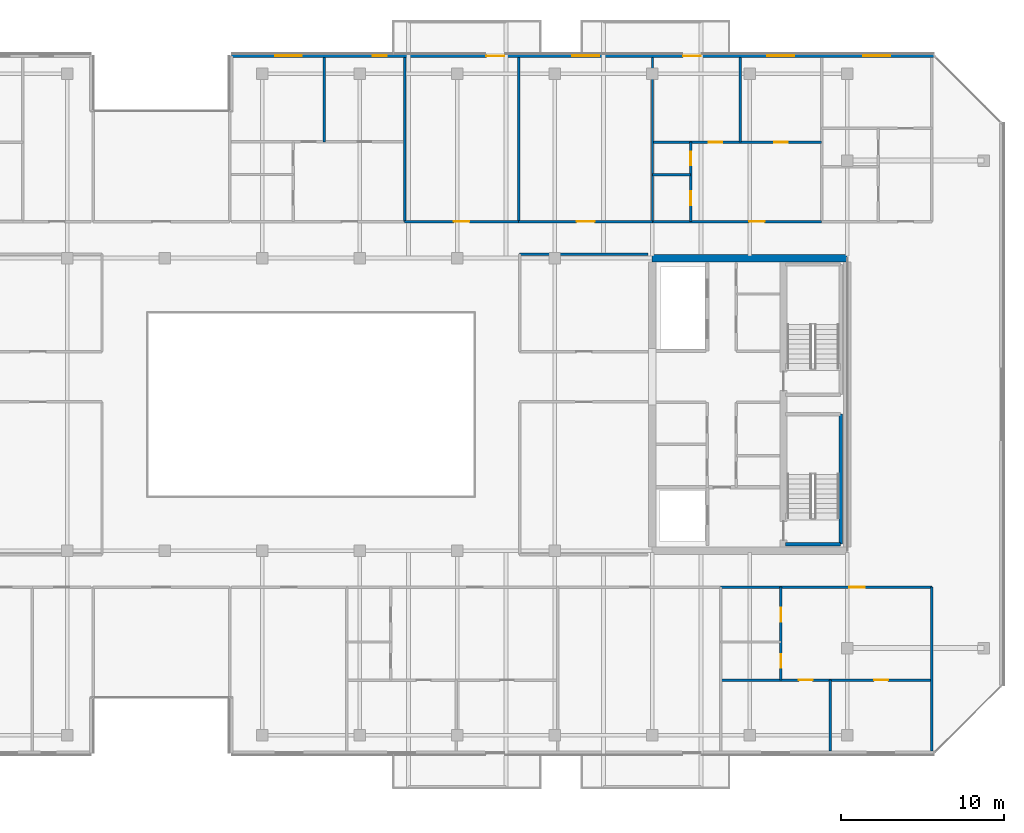
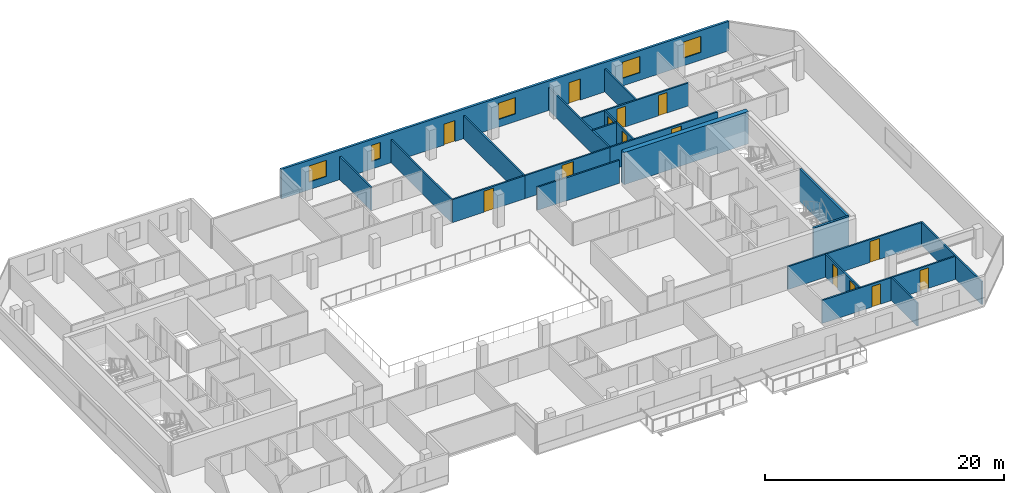
# One storey, part 18 of 24: 21 walls, 14 doors, 5 windows, 19 openings.
"""IFC4 building model written with IfcOpenShell, lengths in metres."""

from ifc_helpers import new_model, si_unit, direction, frame, frame_2d, origin, place, context, subcontext, project, spatial, rectangle, extrude, material, layer, layer_set, type_object, element, fill, save


model = new_model("IFC4")

# Units and contexts
model_context = context("Model", 3, precision=1e-05, world=origin(), true_north=direction((0.0, 1.0)))
body_context = subcontext(model_context, "Body", "Model", "MODEL_VIEW")
ifc_project = project(units=[si_unit("LENGTHUNIT", "METRE"), si_unit("AREAUNIT", "SQUARE_METRE"), si_unit("VOLUMEUNIT", "CUBIC_METRE"), si_unit("PLANEANGLEUNIT", "RADIAN"), si_unit("MASSUNIT", "GRAM", prefix="KILO")], contexts=[model_context])

# Site, building, storey
site_placement = place(None, origin())
site = spatial("IfcSite", under=ifc_project, at=site_placement, CompositionType="ELEMENT")
building_placement = place(site_placement, origin())
building = spatial("IfcBuilding", under=site, at=building_placement, Name="Tanjung Sevakor Pilgrim Tower", CompositionType="ELEMENT")
storey_placement = place(building_placement, frame((0.0, 0.0, 226.050048828125)))
storey = spatial("IfcBuildingStorey", under=building, at=storey_placement, Name="L63", CompositionType="ELEMENT", Elevation=226.050048828125)

# Walls
ifc_material_1 = material(Name="Concrete C60/75", Category="concrete")
ifc_layer_1 = layer(ifc_material_1, 0.449951171875)
ifc_layer_set_1 = layer_set([ifc_layer_1], Name="WALL-CW-450")
wall_type_1 = type_object("IfcWallType", Name="WALL-CW-450", PredefinedType="SHEAR", material=ifc_layer_set_1)
wall_1_placement = place(storey_placement, frame((90.0, 42.60009765625, 0.0), z_axis=(0.0, 0.0, 1.0), x_axis=(-1.0, 0.0, 0.0)))
element("IfcWall", 1, at=wall_1_placement, inside=storey, type_object=wall_type_1, Name="L63 E Core North Shear Wall", PredefinedType="SHEAR", context=body_context, shape_type="SweptSolid", body=[
    extrude(rectangle(XDim=12.0, YDim=0.449951171875, at=frame_2d((6.0, 0.0))), origin(), (0.0, 0.0, 1.0), 3.300048828125),
])
ifc_material_2 = material(Name="Concrete C40/50", Category="concrete")
ifc_layer_2 = layer(ifc_material_2, 0.14990234375)
ifc_layer_set_2 = layer_set([ifc_layer_2], Name="WT-COMP-150")
wall_type_2 = type_object("IfcWallType", Name="WT-COMP-150", PredefinedType="SOLIDWALL", material=ifc_layer_set_2)
wall_2_placement = place(storey_placement, frame((69.85009765625, 42.85009765625, 0.0), z_axis=(0.0, 0.0, 1.0), x_axis=(1.0, 0.0, 0.0)))
element("IfcWall", 2, at=wall_2_placement, inside=storey, type_object=wall_type_2, Name="L63 Partition IW-L63-037", PredefinedType="SOLIDWALL", context=body_context, shape_type="SweptSolid", body=[
    extrude(rectangle(XDim=7.90478515625, YDim=0.14990234375, at=frame_2d((3.952392578125, 0.0))), origin(), (0.0, 0.0, 1.0), 2.35009765625),
])
wall_3_placement = place(storey_placement, frame((95.199951171875, 12.27001953125, 0.0), z_axis=(0.0, 0.0, 1.0), x_axis=(0.0, 1.0, 0.0)))
element("IfcWall", 3, at=wall_3_placement, inside=storey, type_object=wall_type_2, Name="L63 Partition IW-L63-056", PredefinedType="SOLIDWALL", context=body_context, shape_type="SweptSolid", body=[
    extrude(rectangle(XDim=10.080078125, YDim=0.14990234375, at=frame_2d((5.0400390625, 0.0))), origin(), (0.0, 0.0, 1.0), 2.35009765625),
])

# Wall, opening, door
wall_4_placement = place(storey_placement, frame((82.216796875, 22.35009765625, 0.0), z_axis=(0.0, 0.0, 1.0), x_axis=(1.0, 0.0, 0.0)))
wall_4 = element("IfcWall", 4, at=wall_4_placement, inside=storey, type_object=wall_type_2, Name="L63 Partition IW-L63-071", PredefinedType="SOLIDWALL", context=body_context, shape_type="SweptSolid", body=[
    extrude(rectangle(XDim=12.983154296875, YDim=0.14990234375, at=frame_2d((6.49169921875, 0.0))), origin(), (0.0, 0.0, 1.0), 2.35009765625),
])
opening_1_placement = place(wall_4_placement, frame((7.908203125, 0.0, 0.0)))
opening_1 = element("IfcOpeningElement", 5, at=opening_1_placement, cuts=wall_4, Name="Opening ID-FD2", PredefinedType="OPENING", context=body_context, shape_type="SweptSolid", body=[
    extrude(rectangle(XDim=0.949951171875, YDim=2.14990234375, at=frame_2d((0.47509765625, 1.074951171875))), frame((0.0, 0.0849609375, 0.0), z_axis=(0.0, -1.0, 0.0), x_axis=(1.0, 0.0, 0.0)), (0.0, 0.0, 1.0), 0.169921875),
])
ifc_material_3 = material(Name="Fire-Rated Timber", Category="wood")
door_type_1 = type_object("IfcDoorType", Name="DT-FIRE-950", OperationType="NOTDEFINED", PredefinedType="DOOR", material=ifc_material_3)
door_1_placement = place(opening_1_placement, origin())
door_1 = element("IfcDoor", 6, at=door_1_placement, inside=storey, type_object=door_type_1, Name="Suite Entrance", OperationType="SINGLE_SWING_RIGHT", OverallHeight=2.14990234375, OverallWidth=0.949951171875, PredefinedType="DOOR", context=body_context, shape_type="SweptSolid", body=[
    extrude(rectangle(XDim=0.949951171875, YDim=2.14990234375, at=frame_2d((0.47509765625, 1.074951171875))), frame((0.0, 0.02490234375, 0.0), z_axis=(0.0, -1.0, 0.0), x_axis=(1.0, 0.0, 0.0)), (0.0, 0.0, 1.0), 0.050048828125),
])
fill(opening_1, door_1)

# Walls
for number, where, z_axis, x_axis, name in (
    (7, (62.76904296875, 44.85009765625, 0.0), (0.0, 0.0, 1.0), (0.0, 1.0, 0.0), "L63 Partition IW-L63-083"),
    (8, (69.78759765625, 44.85009765625, 0.0), (0.0, 0.0, 1.0), (0.0, 1.0, 0.0), "L63 Partition IW-L63-089"),
):
    element("IfcWall", number, at=place(storey_placement, frame(where, z_axis=z_axis, x_axis=x_axis)), inside=storey, type_object=wall_type_2, Name=name, PredefinedType="SOLIDWALL", context=body_context, shape_type="SweptSolid", body=[
        extrude(rectangle(XDim=10.079833984375, YDim=0.14990234375, at=frame_2d((5.0400390625, 0.0))), origin(), (0.0, 0.0, 1.0), 2.35009765625),
    ])

# Wall, opening, door
wall_5_placement = place(storey_placement, frame((62.76904296875, 44.85009765625, 0.0), z_axis=(0.0, 0.0, 1.0), x_axis=(1.0, 0.0, 0.0)))
wall_5 = element("IfcWall", 9, at=wall_5_placement, inside=storey, type_object=wall_type_2, Name="L63 Partition IW-L63-090", PredefinedType="SOLIDWALL", context=body_context, shape_type="SweptSolid", body=[
    extrude(rectangle(XDim=7.0185546875, YDim=0.14990234375, at=frame_2d((3.50927734375, 0.0))), origin(), (0.0, 0.0, 1.0), 2.35009765625),
])
opening_2_placement = place(wall_5_placement, frame((3.0341796875, 0.0, 0.0)))
opening_2 = element("IfcOpeningElement", 10, at=opening_2_placement, cuts=wall_5, Name="Opening ID-FD2", PredefinedType="OPENING", context=body_context, shape_type="SweptSolid", body=[
    extrude(rectangle(XDim=0.949951171875, YDim=2.14990234375, at=frame_2d((0.47509765625, 1.074951171875))), frame((0.0, 0.0849609375, 0.0), z_axis=(0.0, -1.0, 0.0), x_axis=(1.0, 0.0, 0.0)), (0.0, 0.0, 1.0), 0.169921875),
])
door_2_placement = place(opening_2_placement, origin())
door_2 = element("IfcDoor", 11, at=door_2_placement, inside=storey, type_object=door_type_1, Name="Study Room Entrance", OperationType="SINGLE_SWING_LEFT", OverallHeight=2.14990234375, OverallWidth=0.949951171875, PredefinedType="DOOR", context=body_context, shape_type="SweptSolid", body=[
    extrude(rectangle(XDim=0.949951171875, YDim=2.14990234375, at=frame_2d((0.47509765625, 1.074951171875))), frame((0.0, 0.02490234375, 0.0), z_axis=(0.0, -1.0, 0.0), x_axis=(1.0, 0.0, 0.0)), (0.0, 0.0, 1.0), 0.050048828125),
])
fill(opening_2, door_2)

# Wall
wall_6_placement = place(storey_placement, frame((78.0166015625, 44.85009765625, 0.0), z_axis=(0.0, 0.0, 1.0), x_axis=(0.0, 1.0, 0.0)))
element("IfcWall", 12, at=wall_6_placement, inside=storey, type_object=wall_type_2, Name="L63 Partition IW-L63-091", PredefinedType="SOLIDWALL", context=body_context, shape_type="SweptSolid", body=[
    extrude(rectangle(XDim=10.079833984375, YDim=0.14990234375, at=frame_2d((5.0400390625, 0.0))), origin(), (0.0, 0.0, 1.0), 2.35009765625),
])

# Wall, opening, door
wall_7_placement = place(storey_placement, frame((69.78759765625, 44.85009765625, 0.0), z_axis=(0.0, 0.0, 1.0), x_axis=(1.0, 0.0, 0.0)))
wall_7 = element("IfcWall", 13, at=wall_7_placement, inside=storey, type_object=wall_type_2, Name="L63 Partition IW-L63-092", PredefinedType="SOLIDWALL", context=body_context, shape_type="SweptSolid", body=[
    extrude(rectangle(XDim=8.22900390625, YDim=0.14990234375, at=frame_2d((4.114501953125, 0.0))), origin(), (0.0, 0.0, 1.0), 2.35009765625),
])
opening_3_placement = place(wall_7_placement, frame((3.564453125, 0.0, 0.0)))
opening_3 = element("IfcOpeningElement", 14, at=opening_3_placement, cuts=wall_7, Name="Opening ID-FD0", PredefinedType="OPENING", context=body_context, shape_type="SweptSolid", body=[
    extrude(rectangle(XDim=1.10009765625, YDim=2.14990234375, at=frame_2d((0.550048828125, 1.074951171875))), frame((0.0, 0.0849609375, 0.0), z_axis=(0.0, -1.0, 0.0), x_axis=(1.0, 0.0, 0.0)), (0.0, 0.0, 1.0), 0.169921875),
])
ifc_material_4 = material(Name="Fire-Rated Steel S355J2", Category="steel")
door_type_2 = type_object("IfcDoorType", Name="DT-FIRE-1100", OperationType="NOTDEFINED", PredefinedType="DOOR", material=ifc_material_4)
door_3_placement = place(opening_3_placement, origin())
door_3 = element("IfcDoor", 15, at=door_3_placement, inside=storey, type_object=door_type_2, Name="Council Room Door", OperationType="SINGLE_SWING_RIGHT", OverallHeight=2.14990234375, OverallWidth=1.10009765625, PredefinedType="DOOR", context=body_context, shape_type="SweptSolid", body=[
    extrude(rectangle(XDim=1.10009765625, YDim=2.14990234375, at=frame_2d((0.550048828125, 1.074951171875))), frame((0.0, 0.02490234375, 0.0), z_axis=(0.0, -1.0, 0.0), x_axis=(1.0, 0.0, 0.0)), (0.0, 0.0, 1.0), 0.050048828125),
])
fill(opening_3, door_3)

wall_8_placement = place(storey_placement, frame((78.0166015625, 44.85009765625, 0.0), z_axis=(0.0, 0.0, 1.0), x_axis=(1.0, 0.0, 0.0)))
wall_8 = element("IfcWall", 16, at=wall_8_placement, inside=storey, type_object=wall_type_2, Name="L63 Partition IW-L63-098", PredefinedType="SOLIDWALL", context=body_context, shape_type="SweptSolid", body=[
    extrude(rectangle(XDim=10.406982421875, YDim=0.14990234375, at=frame_2d((5.20361328125, 0.0))), origin(), (0.0, 0.0, 1.0), 2.35009765625),
])
opening_4_placement = place(wall_8_placement, frame((5.943603515625, 0.0, 0.0)))
opening_4 = element("IfcOpeningElement", 17, at=opening_4_placement, cuts=wall_8, Name="Opening ID-FD2", PredefinedType="OPENING", context=body_context, shape_type="SweptSolid", body=[
    extrude(rectangle(XDim=0.949951171875, YDim=2.14990234375, at=frame_2d((0.47509765625, 1.074951171875))), frame((0.0, 0.0849609375, 0.0), z_axis=(0.0, -1.0, 0.0), x_axis=(1.0, 0.0, 0.0)), (0.0, 0.0, 1.0), 0.169921875),
])
door_4_placement = place(opening_4_placement, origin())
door_4 = element("IfcDoor", 18, at=door_4_placement, inside=storey, type_object=door_type_1, Name="Suite Entrance", OperationType="SINGLE_SWING_LEFT", OverallHeight=2.14990234375, OverallWidth=0.949951171875, PredefinedType="DOOR", context=body_context, shape_type="SweptSolid", body=[
    extrude(rectangle(XDim=0.949951171875, YDim=2.14990234375, at=frame_2d((0.47509765625, 1.074951171875))), frame((0.0, 0.02490234375, 0.0), z_axis=(0.0, -1.0, 0.0), x_axis=(1.0, 0.0, 0.0)), (0.0, 0.0, 1.0), 0.050048828125),
])
fill(opening_4, door_4)

# Wall, openings, doors, windows
ifc_material_5 = material(Name="Precast concrete C45/55", Category="concrete")
ifc_layer_3 = layer(ifc_material_5, 0.219970703125)
ifc_layer_set_3 = layer_set([ifc_layer_3], Name="WT-EW-STN4")
wall_type_3 = type_object("IfcWallType", Name="WT-EW-STN4", PredefinedType="SOLIDWALL", material=ifc_layer_set_3)
wall_9_placement = place(storey_placement, frame((95.3544921875, 55.0400390625, 0.0), z_axis=(0.0, 0.0, 1.0), x_axis=(-1.0, 0.0, 0.0)))
wall_9 = element("IfcWall", 19, at=wall_9_placement, inside=storey, type_object=wall_type_3, Name="L63 MAIN Exterior Wall 9", PredefinedType="SOLIDWALL", context=body_context, shape_type="SweptSolid", body=[
    extrude(rectangle(XDim=43.244384765625, YDim=0.219970703125, at=frame_2d((21.6220703125, 0.0))), origin(), (0.0, 0.0, 1.0), 3.02001953125),
])
opening_5_placement = place(wall_9_placement, frame((26.454345703125, 0.0, 0.0)))
opening_5 = element("IfcOpeningElement", 20, at=opening_5_placement, cuts=wall_9, Name="Opening ED-BAL-1100", PredefinedType="OPENING", context=body_context, shape_type="SweptSolid", body=[
    extrude(rectangle(XDim=1.10009765625, YDim=2.14990234375, at=frame_2d((0.550048828125, 1.074951171875))), frame((0.0, 0.119873046875, 0.0), z_axis=(0.0, -1.0, 0.0), x_axis=(1.0, 0.0, 0.0)), (0.0, 0.0, 1.0), 0.239990234375),
])
opening_6_placement = place(wall_9_placement, frame((14.3544921875, 0.0, 0.0)))
opening_6 = element("IfcOpeningElement", 21, at=opening_6_placement, cuts=wall_9, Name="Opening ED-BAL-1100", PredefinedType="OPENING", context=body_context, shape_type="SweptSolid", body=[
    extrude(rectangle(XDim=1.10009765625, YDim=2.14990234375, at=frame_2d((0.550048828125, 1.074951171875))), frame((0.0, 0.119873046875, 0.0), z_axis=(0.0, -1.0, 0.0), x_axis=(1.0, 0.0, 0.0)), (0.0, 0.0, 1.0), 0.239990234375),
])
opening_7_placement = place(wall_9_placement, frame((38.909423828125, 0.0, 0.780029296875)))
opening_7 = element("IfcOpeningElement", 22, at=opening_7_placement, cuts=wall_9, Name="Opening WN-Z4-1660", PredefinedType="OPENING", context=body_context, shape_type="SweptSolid", body=[
    extrude(rectangle(XDim=1.64990234375, YDim=1.659912109375, at=frame_2d((0.824951171875, 0.830078125))), frame((0.0, 0.119873046875, 0.0), z_axis=(0.0, -1.0, 0.0), x_axis=(1.0, 0.0, 0.0)), (0.0, 0.0, 1.0), 0.239990234375),
])
opening_8_placement = place(wall_9_placement, frame((33.684814453125, 0.0, 0.780029296875)))
opening_8 = element("IfcOpeningElement", 23, at=opening_8_placement, cuts=wall_9, Name="Opening WN-SLM", PredefinedType="OPENING", context=body_context, shape_type="SweptSolid", body=[
    extrude(rectangle(XDim=0.85009765625, YDim=1.64990234375, at=frame_2d((0.425048828125, 0.824951171875))), frame((0.0, 0.119873046875, 0.0), z_axis=(0.0, -1.0, 0.0), x_axis=(1.0, 0.0, 0.0)), (0.0, 0.0, 1.0), 0.239990234375),
])
opening_9_placement = place(wall_9_placement, frame((20.627197265625, 0.0, 0.780029296875)))
opening_9 = element("IfcOpeningElement", 24, at=opening_9_placement, cuts=wall_9, Name="Opening WN-Z4-1660", PredefinedType="OPENING", context=body_context, shape_type="SweptSolid", body=[
    extrude(rectangle(XDim=1.64990234375, YDim=1.659912109375, at=frame_2d((0.824951171875, 0.830078125))), frame((0.0, 0.119873046875, 0.0), z_axis=(0.0, -1.0, 0.0), x_axis=(1.0, 0.0, 0.0)), (0.0, 0.0, 1.0), 0.239990234375),
])
opening_10_placement = place(wall_9_placement, frame((8.613525390625, 0.0, 0.780029296875)))
opening_10 = element("IfcOpeningElement", 25, at=opening_10_placement, cuts=wall_9, Name="Opening WN-Z4-1660", PredefinedType="OPENING", context=body_context, shape_type="SweptSolid", body=[
    extrude(rectangle(XDim=1.64990234375, YDim=1.659912109375, at=frame_2d((0.824951171875, 0.830078125))), frame((0.0, 0.119873046875, 0.0), z_axis=(0.0, -1.0, 0.0), x_axis=(1.0, 0.0, 0.0)), (0.0, 0.0, 1.0), 0.239990234375),
])
opening_11_placement = place(wall_9_placement, frame((2.717529296875, 0.0, 0.780029296875)))
opening_11 = element("IfcOpeningElement", 26, at=opening_11_placement, cuts=wall_9, Name="Opening WN-Z4-1660", PredefinedType="OPENING", context=body_context, shape_type="SweptSolid", body=[
    extrude(rectangle(XDim=1.64990234375, YDim=1.659912109375, at=frame_2d((0.824951171875, 0.830078125))), frame((0.0, 0.119873046875, 0.0), z_axis=(0.0, -1.0, 0.0), x_axis=(1.0, 0.0, 0.0)), (0.0, 0.0, 1.0), 0.239990234375),
])
ifc_material_6 = material(Name="Anodised Aluminium and Laminated Glass", Category="aluminium")
door_type_3 = type_object("IfcDoorType", Name="DTYP-ED-BAL-1100", OperationType="NOTDEFINED", PredefinedType="DOOR", material=ifc_material_6)
door_5_placement = place(opening_5_placement, frame((1.10009765625, 0.0, 0.0), z_axis=(0.0, 0.0, 1.0), x_axis=(-1.0, 0.0, 0.0)))
door_5 = element("IfcDoor", 27, at=door_5_placement, inside=storey, type_object=door_type_3, Name="L63 Balcony Door MAIN-N2", OperationType="SINGLE_SWING_RIGHT", OverallHeight=2.14990234375, OverallWidth=1.10009765625, PredefinedType="DOOR", context=body_context, shape_type="SweptSolid", body=[
    extrude(rectangle(XDim=1.10009765625, YDim=2.14990234375, at=frame_2d((0.550048828125, 1.074951171875))), frame((0.0, 0.02490234375, 0.0), z_axis=(0.0, -1.0, 0.0), x_axis=(1.0, 0.0, 0.0)), (0.0, 0.0, 1.0), 0.050048828125),
])
fill(opening_5, door_5)
door_6_placement = place(opening_6_placement, frame((1.10009765625, 0.0, 0.0), z_axis=(0.0, 0.0, 1.0), x_axis=(-1.0, 0.0, 0.0)))
door_6 = element("IfcDoor", 28, at=door_6_placement, inside=storey, type_object=door_type_3, Name="L63 Balcony Door MAIN-N3", OperationType="SINGLE_SWING_LEFT", OverallHeight=2.14990234375, OverallWidth=1.10009765625, PredefinedType="DOOR", context=body_context, shape_type="SweptSolid", body=[
    extrude(rectangle(XDim=1.10009765625, YDim=2.14990234375, at=frame_2d((0.550048828125, 1.074951171875))), frame((0.0, 0.02490234375, 0.0), z_axis=(0.0, -1.0, 0.0), x_axis=(1.0, 0.0, 0.0)), (0.0, 0.0, 1.0), 0.050048828125),
])
fill(opening_6, door_6)
ifc_material_7 = material(Name="Thermally Broken Aluminium and Low-E Glass", Category="aluminium")
window_type_1 = type_object("IfcWindowType", Name="WTYP-WN-SLM", PartitioningType="SINGLE_PANEL", PredefinedType="WINDOW", material=ifc_material_7)
window_1_placement = place(opening_8_placement, origin())
window_1 = element("IfcWindow", 29, at=window_1_placement, inside=storey, type_object=window_type_1, Name="L63 Facade Window 02", OverallHeight=1.64990234375, OverallWidth=0.85009765625, PartitioningType="SINGLE_PANEL", PredefinedType="WINDOW", context=body_context, shape_type="SweptSolid", body=[
    extrude(rectangle(XDim=0.85009765625, YDim=1.64990234375, at=frame_2d((0.425048828125, 0.824951171875))), frame((0.0, 0.030029296875, 0.0), z_axis=(0.0, -1.0, 0.0), x_axis=(1.0, 0.0, 0.0)), (0.0, 0.0, 1.0), 0.06005859375),
])
fill(opening_8, window_1)
ifc_material_8 = material(Name="Thermally Broken Aluminium and Low-E Glass", Category="aluminium")
window_type_2 = type_object("IfcWindowType", Name="WTYP-WN-Z4-1660", PartitioningType="DOUBLE_PANEL_VERTICAL", PredefinedType="WINDOW", material=ifc_material_8)
window_2_placement = place(opening_7_placement, origin())
window_2 = element("IfcWindow", 30, at=window_2_placement, inside=storey, type_object=window_type_2, Name="L63 Facade Window 01", OverallHeight=1.659912109375, OverallWidth=1.64990234375, PartitioningType="SINGLE_PANEL", PredefinedType="WINDOW", context=body_context, shape_type="SweptSolid", body=[
    extrude(rectangle(XDim=1.64990234375, YDim=1.659912109375, at=frame_2d((0.824951171875, 0.830078125))), frame((0.0, 0.030029296875, 0.0), z_axis=(0.0, -1.0, 0.0), x_axis=(1.0, 0.0, 0.0)), (0.0, 0.0, 1.0), 0.06005859375),
])
fill(opening_7, window_2)
window_3_placement = place(opening_9_placement, origin())
window_3 = element("IfcWindow", 31, at=window_3_placement, inside=storey, type_object=window_type_2, Name="L63 Facade Window 03", OverallHeight=1.659912109375, OverallWidth=1.64990234375, PartitioningType="SINGLE_PANEL", PredefinedType="WINDOW", context=body_context, shape_type="SweptSolid", body=[
    extrude(rectangle(XDim=1.64990234375, YDim=1.659912109375, at=frame_2d((0.824951171875, 0.830078125))), frame((0.0, 0.030029296875, 0.0), z_axis=(0.0, -1.0, 0.0), x_axis=(1.0, 0.0, 0.0)), (0.0, 0.0, 1.0), 0.06005859375),
])
fill(opening_9, window_3)
window_4_placement = place(opening_10_placement, origin())
window_4 = element("IfcWindow", 32, at=window_4_placement, inside=storey, type_object=window_type_2, Name="L63 Facade Window 04", OverallHeight=1.659912109375, OverallWidth=1.64990234375, PartitioningType="SINGLE_PANEL", PredefinedType="WINDOW", context=body_context, shape_type="SweptSolid", body=[
    extrude(rectangle(XDim=1.64990234375, YDim=1.659912109375, at=frame_2d((0.824951171875, 0.830078125))), frame((0.0, 0.030029296875, 0.0), z_axis=(0.0, -1.0, 0.0), x_axis=(1.0, 0.0, 0.0)), (0.0, 0.0, 1.0), 0.06005859375),
])
fill(opening_10, window_4)
window_5_placement = place(opening_11_placement, origin())
window_5 = element("IfcWindow", 33, at=window_5_placement, inside=storey, type_object=window_type_2, Name="L63 Facade Window 05", OverallHeight=1.659912109375, OverallWidth=1.64990234375, PartitioningType="SINGLE_PANEL", PredefinedType="WINDOW", context=body_context, shape_type="SweptSolid", body=[
    extrude(rectangle(XDim=1.64990234375, YDim=1.659912109375, at=frame_2d((0.824951171875, 0.830078125))), frame((0.0, 0.030029296875, 0.0), z_axis=(0.0, -1.0, 0.0), x_axis=(1.0, 0.0, 0.0)), (0.0, 0.0, 1.0), 0.06005859375),
])
fill(opening_11, window_5)

# Walls
ifc_material_9 = material(Name="Concrete C40/50", Category="concrete")
ifc_layer_4 = layer(ifc_material_9, 0.199951171875)
ifc_layer_set_4 = layer_set([ifc_layer_4], Name="WT-FIRE-200")
wall_type_4 = type_object("IfcWallType", Name="WT-FIRE-200", PredefinedType="SOLIDWALL", material=ifc_layer_set_4)
wall_10_placement = place(storey_placement, frame((86.199951171875, 25.0, 0.0), z_axis=(0.0, 0.0, 1.0), x_axis=(1.0, 0.0, 0.0)))
element("IfcWall", 34, at=wall_10_placement, inside=storey, type_object=wall_type_4, Name="L63 TS-E1 Shaft Wall 1", PredefinedType="SOLIDWALL", context=body_context, shape_type="SweptSolid", body=[
    extrude(rectangle(XDim=3.400146484375, YDim=0.199951171875, at=frame_2d((1.7001953125, 0.0))), origin(), (0.0, 0.0, 1.0), 3.300048828125),
])
wall_11_placement = place(storey_placement, frame((89.60009765625, 25.0, 0.0), z_axis=(0.0, 0.0, 1.0), x_axis=(0.0, 1.0, 0.0)))
element("IfcWall", 35, at=wall_11_placement, inside=storey, type_object=wall_type_4, Name="L63 TS-E1 Shaft Wall 2", PredefinedType="SOLIDWALL", context=body_context, shape_type="SweptSolid", body=[
    extrude(rectangle(XDim=8.0, YDim=0.199951171875, at=frame_2d((4.0, 0.0))), origin(), (0.0, 0.0, 1.0), 3.300048828125),
])

# Wall, openings, doors
ifc_material_10 = material(Name="Gypsum Board Partition", Category="gypsum board")
ifc_layer_5 = layer(ifc_material_10, 0.14990234375)
ifc_layer_set_5 = layer_set([ifc_layer_5], Name="WT-PART-150")
wall_type_5 = type_object("IfcWallType", Name="WT-PART-150", PredefinedType="PARTITIONING", material=ifc_layer_set_5)
wall_12_placement = place(storey_placement, frame((85.919921875, 16.6396484375, 0.0), z_axis=(0.0, 0.0, 1.0), x_axis=(0.0, 1.0, 0.0)))
wall_12 = element("IfcWall", 36, at=wall_12_placement, inside=storey, type_object=wall_type_5, Name="L63 Partition IW-L63-068", PredefinedType="PARTITIONING", context=body_context, shape_type="SweptSolid", body=[
    extrude(rectangle(XDim=5.71044921875, YDim=0.14990234375, at=frame_2d((2.855224609375, 0.0))), origin(), (0.0, 0.0, 1.0), 2.35009765625),
])
opening_12_placement = place(wall_12_placement, frame((0.74560546875, 0.0, 0.0)))
opening_12 = element("IfcOpeningElement", 37, at=opening_12_placement, cuts=wall_12, Name="Opening ID-WC1", PredefinedType="OPENING", context=body_context, shape_type="SweptSolid", body=[
    extrude(rectangle(XDim=0.85009765625, YDim=2.10009765625, at=frame_2d((0.425048828125, 1.050048828125))), frame((0.0, 0.0849609375, 0.0), z_axis=(0.0, -1.0, 0.0), x_axis=(1.0, 0.0, 0.0)), (0.0, 0.0, 1.0), 0.169921875),
])
opening_13_placement = place(wall_12_placement, frame((3.600830078125, 0.0, 0.0)))
opening_13 = element("IfcOpeningElement", 38, at=opening_13_placement, cuts=wall_12, Name="Opening ID-WC1", PredefinedType="OPENING", context=body_context, shape_type="SweptSolid", body=[
    extrude(rectangle(XDim=0.85009765625, YDim=2.10009765625, at=frame_2d((0.425048828125, 1.050048828125))), frame((0.0, 0.0849609375, 0.0), z_axis=(0.0, -1.0, 0.0), x_axis=(1.0, 0.0, 0.0)), (0.0, 0.0, 1.0), 0.169921875),
])
ifc_material_11 = material(Name="Moisture-Resistant Timber", Category="wood")
door_type_4 = type_object("IfcDoorType", Name="DT-INT-850", OperationType="NOTDEFINED", PredefinedType="DOOR", material=ifc_material_11)
door_7_placement = place(opening_12_placement, origin())
door_7 = element("IfcDoor", 39, at=door_7_placement, inside=storey, type_object=door_type_4, Name="Suite Bathroom Door", OperationType="SINGLE_SWING_RIGHT", OverallHeight=2.10009765625, OverallWidth=0.85009765625, PredefinedType="DOOR", context=body_context, shape_type="SweptSolid", body=[
    extrude(rectangle(XDim=0.85009765625, YDim=2.10009765625, at=frame_2d((0.425048828125, 1.050048828125))), frame((0.0, 0.02490234375, 0.0), z_axis=(0.0, -1.0, 0.0), x_axis=(1.0, 0.0, 0.0)), (0.0, 0.0, 1.0), 0.050048828125),
])
fill(opening_12, door_7)
door_8_placement = place(opening_13_placement, origin())
door_8 = element("IfcDoor", 40, at=door_8_placement, inside=storey, type_object=door_type_4, Name="Suite Kitchenette Door", OperationType="SINGLE_SWING_LEFT", OverallHeight=2.10009765625, OverallWidth=0.85009765625, PredefinedType="DOOR", context=body_context, shape_type="SweptSolid", body=[
    extrude(rectangle(XDim=0.85009765625, YDim=2.10009765625, at=frame_2d((0.425048828125, 1.050048828125))), frame((0.0, 0.02490234375, 0.0), z_axis=(0.0, -1.0, 0.0), x_axis=(1.0, 0.0, 0.0)), (0.0, 0.0, 1.0), 0.050048828125),
])
fill(opening_13, door_8)

# Wall
wall_13_placement = place(storey_placement, frame((88.968017578125, 12.27001953125, 0.0), z_axis=(0.0, 0.0, 1.0), x_axis=(0.0, 1.0, 0.0)))
element("IfcWall", 41, at=wall_13_placement, inside=storey, type_object=wall_type_5, Name="L63 Partition IW-L63-069", PredefinedType="PARTITIONING", context=body_context, shape_type="SweptSolid", body=[
    extrude(rectangle(XDim=4.36962890625, YDim=0.14990234375, at=frame_2d((2.184814453125, 0.0))), origin(), (0.0, 0.0, 1.0), 2.35009765625),
])

# Wall, openings, doors
wall_14_placement = place(storey_placement, frame((82.216796875, 16.6396484375, 0.0), z_axis=(0.0, 0.0, 1.0), x_axis=(1.0, 0.0, 0.0)))
wall_14 = element("IfcWall", 42, at=wall_14_placement, inside=storey, type_object=wall_type_5, Name="L63 Partition IW-L63-070", PredefinedType="PARTITIONING", context=body_context, shape_type="SweptSolid", body=[
    extrude(rectangle(XDim=12.983154296875, YDim=0.14990234375, at=frame_2d((6.49169921875, 0.0))), origin(), (0.0, 0.0, 1.0), 2.35009765625),
])
opening_14_placement = place(wall_14_placement, frame((4.80224609375, 0.0, 0.0)))
opening_14 = element("IfcOpeningElement", 43, at=opening_14_placement, cuts=wall_14, Name="Opening ID-WC1", PredefinedType="OPENING", context=body_context, shape_type="SweptSolid", body=[
    extrude(rectangle(XDim=0.85009765625, YDim=2.10009765625, at=frame_2d((0.425048828125, 1.050048828125))), frame((0.0, 0.0849609375, 0.0), z_axis=(0.0, -1.0, 0.0), x_axis=(1.0, 0.0, 0.0)), (0.0, 0.0, 1.0), 0.169921875),
])
opening_15_placement = place(wall_14_placement, frame((9.442138671875, 0.0, 0.0)))
opening_15 = element("IfcOpeningElement", 44, at=opening_15_placement, cuts=wall_14, Name="Opening ID-WC1", PredefinedType="OPENING", context=body_context, shape_type="SweptSolid", body=[
    extrude(rectangle(XDim=0.85009765625, YDim=2.10009765625, at=frame_2d((0.425048828125, 1.050048828125))), frame((0.0, 0.0849609375, 0.0), z_axis=(0.0, -1.0, 0.0), x_axis=(1.0, 0.0, 0.0)), (0.0, 0.0, 1.0), 0.169921875),
])
door_9_placement = place(opening_14_placement, origin())
door_9 = element("IfcDoor", 45, at=door_9_placement, inside=storey, type_object=door_type_4, Name="Suite Bedroom 1 Door", OperationType="SINGLE_SWING_RIGHT", OverallHeight=2.10009765625, OverallWidth=0.85009765625, PredefinedType="DOOR", context=body_context, shape_type="SweptSolid", body=[
    extrude(rectangle(XDim=0.85009765625, YDim=2.10009765625, at=frame_2d((0.425048828125, 1.050048828125))), frame((0.0, 0.02490234375, 0.0), z_axis=(0.0, -1.0, 0.0), x_axis=(1.0, 0.0, 0.0)), (0.0, 0.0, 1.0), 0.050048828125),
])
fill(opening_14, door_9)
door_10_placement = place(opening_15_placement, origin())
door_10 = element("IfcDoor", 46, at=door_10_placement, inside=storey, type_object=door_type_4, Name="Suite Bedroom 2 Door", OperationType="SINGLE_SWING_LEFT", OverallHeight=2.10009765625, OverallWidth=0.85009765625, PredefinedType="DOOR", context=body_context, shape_type="SweptSolid", body=[
    extrude(rectangle(XDim=0.85009765625, YDim=2.10009765625, at=frame_2d((0.425048828125, 1.050048828125))), frame((0.0, 0.02490234375, 0.0), z_axis=(0.0, -1.0, 0.0), x_axis=(1.0, 0.0, 0.0)), (0.0, 0.0, 1.0), 0.050048828125),
])
fill(opening_15, door_10)

# Walls
wall_15_placement = place(storey_placement, frame((57.820068359375, 49.754638671875, 0.0), z_axis=(0.0, 0.0, 1.0), x_axis=(0.0, 1.0, 0.0)))
element("IfcWall", 47, at=wall_15_placement, inside=storey, type_object=wall_type_5, Name="L63 Partition IW-L63-086", PredefinedType="PARTITIONING", context=body_context, shape_type="SweptSolid", body=[
    extrude(rectangle(XDim=5.17529296875, YDim=0.14990234375, at=frame_2d((2.587646484375, 0.0))), origin(), (0.0, 0.0, 1.0), 2.35009765625),
])
wall_16_placement = place(storey_placement, frame((78.0166015625, 47.729248046875, 0.0), z_axis=(0.0, 0.0, 1.0), x_axis=(1.0, 0.0, 0.0)))
element("IfcWall", 48, at=wall_16_placement, inside=storey, type_object=wall_type_5, Name="L63 Partition IW-L63-094", PredefinedType="PARTITIONING", context=body_context, shape_type="SweptSolid", body=[
    extrude(rectangle(XDim=2.349853515625, YDim=0.14990234375, at=frame_2d((1.1748046875, 0.0))), origin(), (0.0, 0.0, 1.0), 2.35009765625),
])

# Wall, openings, doors
wall_17_placement = place(storey_placement, frame((80.366455078125, 44.85009765625, 0.0), z_axis=(0.0, 0.0, 1.0), x_axis=(0.0, 1.0, 0.0)))
wall_17 = element("IfcWall", 49, at=wall_17_placement, inside=storey, type_object=wall_type_5, Name="L63 Partition IW-L63-095", PredefinedType="PARTITIONING", context=body_context, shape_type="SweptSolid", body=[
    extrude(rectangle(XDim=4.8798828125, YDim=0.14990234375, at=frame_2d((2.43994140625, 0.0))), origin(), (0.0, 0.0, 1.0), 2.35009765625),
])
opening_16_placement = place(wall_17_placement, frame((1.0146484375, 0.0, 0.0)))
opening_16 = element("IfcOpeningElement", 50, at=opening_16_placement, cuts=wall_17, Name="Opening ID-WC1", PredefinedType="OPENING", context=body_context, shape_type="SweptSolid", body=[
    extrude(rectangle(XDim=0.85009765625, YDim=2.10009765625, at=frame_2d((0.425048828125, 1.050048828125))), frame((0.0, 0.0849609375, 0.0), z_axis=(0.0, -1.0, 0.0), x_axis=(1.0, 0.0, 0.0)), (0.0, 0.0, 1.0), 0.169921875),
])
opening_17_placement = place(wall_17_placement, frame((3.45458984375, 0.0, 0.0)))
opening_17 = element("IfcOpeningElement", 51, at=opening_17_placement, cuts=wall_17, Name="Opening ID-WC1", PredefinedType="OPENING", context=body_context, shape_type="SweptSolid", body=[
    extrude(rectangle(XDim=0.85009765625, YDim=2.10009765625, at=frame_2d((0.425048828125, 1.050048828125))), frame((0.0, 0.0849609375, 0.0), z_axis=(0.0, -1.0, 0.0), x_axis=(1.0, 0.0, 0.0)), (0.0, 0.0, 1.0), 0.169921875),
])
door_11_placement = place(opening_16_placement, origin())
door_11 = element("IfcDoor", 52, at=door_11_placement, inside=storey, type_object=door_type_4, Name="Suite Kitchenette Door", OperationType="SINGLE_SWING_LEFT", OverallHeight=2.10009765625, OverallWidth=0.85009765625, PredefinedType="DOOR", context=body_context, shape_type="SweptSolid", body=[
    extrude(rectangle(XDim=0.85009765625, YDim=2.10009765625, at=frame_2d((0.425048828125, 1.050048828125))), frame((0.0, 0.02490234375, 0.0), z_axis=(0.0, -1.0, 0.0), x_axis=(1.0, 0.0, 0.0)), (0.0, 0.0, 1.0), 0.050048828125),
])
fill(opening_16, door_11)
door_12_placement = place(opening_17_placement, origin())
door_12 = element("IfcDoor", 53, at=door_12_placement, inside=storey, type_object=door_type_4, Name="Suite Bathroom Door", OperationType="SINGLE_SWING_RIGHT", OverallHeight=2.10009765625, OverallWidth=0.85009765625, PredefinedType="DOOR", context=body_context, shape_type="SweptSolid", body=[
    extrude(rectangle(XDim=0.85009765625, YDim=2.10009765625, at=frame_2d((0.425048828125, 1.050048828125))), frame((0.0, 0.02490234375, 0.0), z_axis=(0.0, -1.0, 0.0), x_axis=(1.0, 0.0, 0.0)), (0.0, 0.0, 1.0), 0.050048828125),
])
fill(opening_17, door_12)

# Wall
wall_18_placement = place(storey_placement, frame((83.427978515625, 49.72998046875, 0.0), z_axis=(0.0, 0.0, 1.0), x_axis=(0.0, 1.0, 0.0)))
element("IfcWall", 54, at=wall_18_placement, inside=storey, type_object=wall_type_5, Name="L63 Partition IW-L63-096", PredefinedType="PARTITIONING", context=body_context, shape_type="SweptSolid", body=[
    extrude(rectangle(XDim=5.199951171875, YDim=0.14990234375, at=frame_2d((2.60009765625, 0.0))), origin(), (0.0, 0.0, 1.0), 2.35009765625),
])

# Wall, openings, doors
wall_19_placement = place(storey_placement, frame((78.0166015625, 49.72998046875, 0.0), z_axis=(0.0, 0.0, 1.0), x_axis=(1.0, 0.0, 0.0)))
wall_19 = element("IfcWall", 55, at=wall_19_placement, inside=storey, type_object=wall_type_5, Name="L63 Partition IW-L63-097", PredefinedType="PARTITIONING", context=body_context, shape_type="SweptSolid", body=[
    extrude(rectangle(XDim=10.406982421875, YDim=0.14990234375, at=frame_2d((5.20361328125, 0.0))), origin(), (0.0, 0.0, 1.0), 2.35009765625),
])
opening_18_placement = place(wall_19_placement, frame((3.455810546875, 0.0, 0.0)))
opening_18 = element("IfcOpeningElement", 56, at=opening_18_placement, cuts=wall_19, Name="Opening ID-WC1", PredefinedType="OPENING", context=body_context, shape_type="SweptSolid", body=[
    extrude(rectangle(XDim=0.85009765625, YDim=2.10009765625, at=frame_2d((0.425048828125, 1.050048828125))), frame((0.0, 0.0849609375, 0.0), z_axis=(0.0, -1.0, 0.0), x_axis=(1.0, 0.0, 0.0)), (0.0, 0.0, 1.0), 0.169921875),
])
opening_19_placement = place(wall_19_placement, frame((7.484375, 0.0, 0.0)))
opening_19 = element("IfcOpeningElement", 57, at=opening_19_placement, cuts=wall_19, Name="Opening ID-WC1", PredefinedType="OPENING", context=body_context, shape_type="SweptSolid", body=[
    extrude(rectangle(XDim=0.85009765625, YDim=2.10009765625, at=frame_2d((0.425048828125, 1.050048828125))), frame((0.0, 0.0849609375, 0.0), z_axis=(0.0, -1.0, 0.0), x_axis=(1.0, 0.0, 0.0)), (0.0, 0.0, 1.0), 0.169921875),
])
door_13_placement = place(opening_18_placement, origin())
door_13 = element("IfcDoor", 58, at=door_13_placement, inside=storey, type_object=door_type_4, Name="Suite Bedroom 1 Door", OperationType="SINGLE_SWING_LEFT", OverallHeight=2.10009765625, OverallWidth=0.85009765625, PredefinedType="DOOR", context=body_context, shape_type="SweptSolid", body=[
    extrude(rectangle(XDim=0.85009765625, YDim=2.10009765625, at=frame_2d((0.425048828125, 1.050048828125))), frame((0.0, 0.02490234375, 0.0), z_axis=(0.0, -1.0, 0.0), x_axis=(1.0, 0.0, 0.0)), (0.0, 0.0, 1.0), 0.050048828125),
])
fill(opening_18, door_13)
door_14_placement = place(opening_19_placement, origin())
door_14 = element("IfcDoor", 59, at=door_14_placement, inside=storey, type_object=door_type_4, Name="Suite Bedroom 2 Door", OperationType="SINGLE_SWING_RIGHT", OverallHeight=2.10009765625, OverallWidth=0.85009765625, PredefinedType="DOOR", context=body_context, shape_type="SweptSolid", body=[
    extrude(rectangle(XDim=0.85009765625, YDim=2.10009765625, at=frame_2d((0.425048828125, 1.050048828125))), frame((0.0, 0.02490234375, 0.0), z_axis=(0.0, -1.0, 0.0), x_axis=(1.0, 0.0, 0.0)), (0.0, 0.0, 1.0), 0.050048828125),
])
fill(opening_19, door_14)

save(model, "model.ifc")
